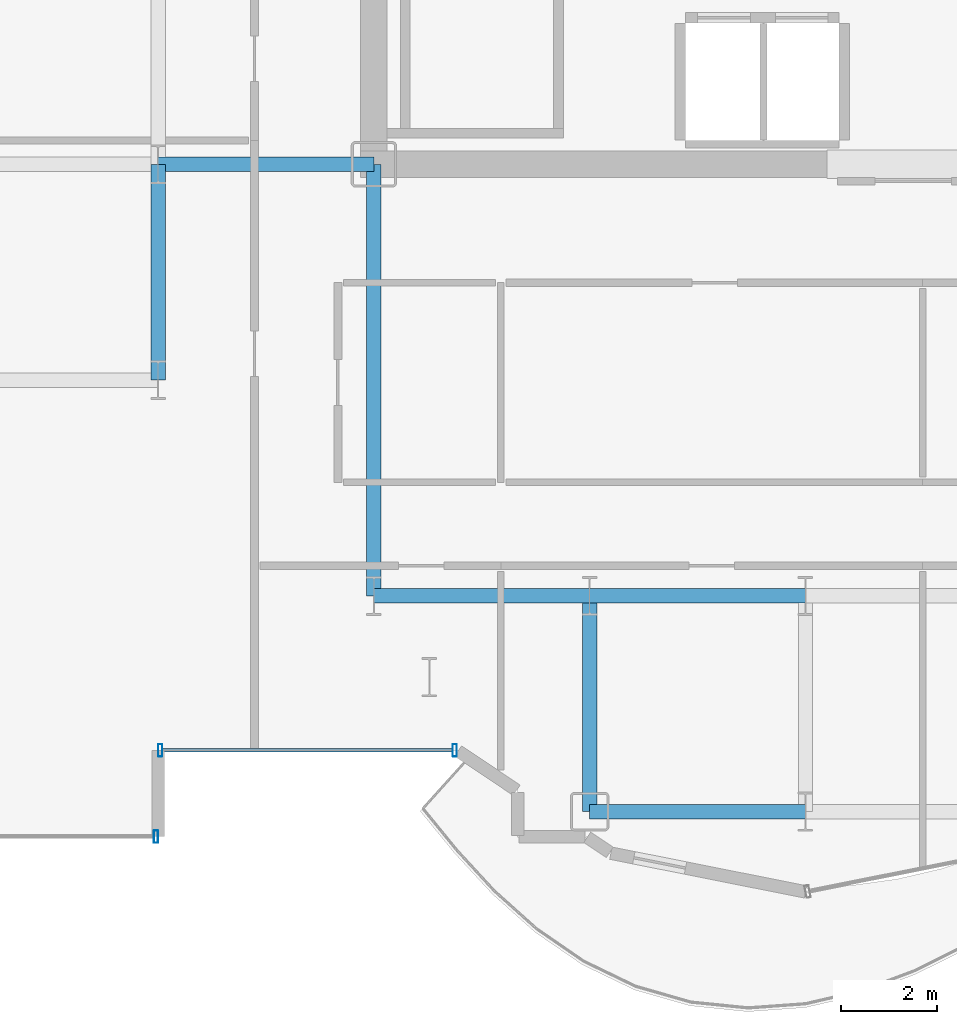
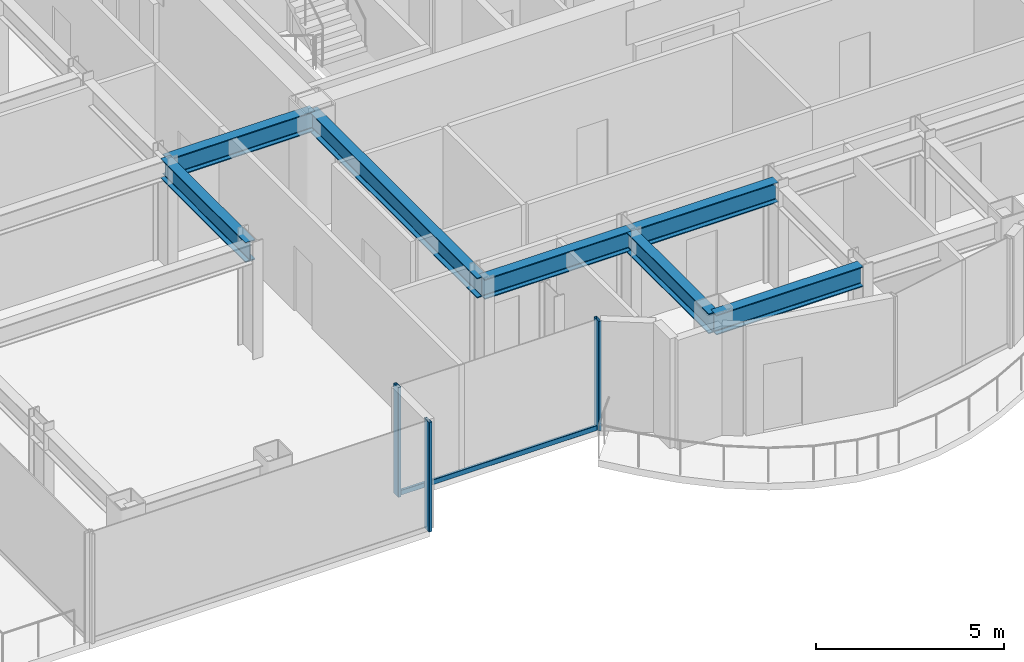
# One storey, part 5 of 23: 7 beams, 4 members, 2 elements without a shape of their own.
"""IFC4 building model written with IfcOpenShell, lengths in metres."""

import ifcopenshell
import ifcopenshell.guid

model = None  # the IFC model being written
_history = None  # IfcOwnerHistory: only IFC2X3 demands one
_inside = {}  # id of a spatial element -> (the spatial element, [elements in it])
_under = {}  # id of a project, library or spatial element -> (it, [spatial elements below it])
_declared = {}  # id of a project -> (the project, [libraries it declares])
_typed = {}  # id of a type object -> (the type object, [elements of that type])
_made_of = {}  # id of a material, layer set ... -> (it, [elements and type objects made of it])


def new_model(schema):
    """Start an empty IFC model of exactly this schema.

    Asked for "IFC4X3", IfcOpenShell would pick the latest addendum, in which some entities
    have other attributes; the version numbers below select the first issue.
    IFC2X3 requires an IfcOwnerHistory on every rooted entity: one is made here for all.
    """
    global model, _history
    if schema == "IFC4X3":
        model = ifcopenshell.file(schema_version=(4, 3, 0, 0))
    else:
        model = ifcopenshell.file(schema=schema)
    _inside.clear()
    _under.clear()
    _declared.clear()
    _typed.clear()
    _made_of.clear()
    _history = None
    if model.schema == "IFC2X3":
        org = make("IfcOrganization", Name="unknown")
        user = make(
            "IfcPersonAndOrganization",
            ThePerson=make("IfcPerson", FamilyName="unknown"),
            TheOrganization=org,
        )
        app = make(
            "IfcApplication",
            ApplicationDeveloper=org,
            Version="unknown",
            ApplicationFullName="unknown",
            ApplicationIdentifier="unknown",
        )
        _history = make(
            "IfcOwnerHistory",
            OwningUser=user,
            OwningApplication=app,
            ChangeAction="ADDED",
            CreationDate=0,
        )
    return model


def make(cls, **values):
    """One entity of the class cls with the attributes given. An attribute that is None is left unset."""
    return model.create_entity(
        cls, **{name: value for name, value in values.items() if value is not None}
    )


def rooted(cls, **values):
    """An entity with a GlobalId (a new one), such as an element, a storey or a relation."""
    return make(cls, GlobalId=ifcopenshell.guid.new(), OwnerHistory=_history, **values)


def si_unit(unit_type, name, prefix=None):
    """IfcSIUnit, for example si_unit("LENGTHUNIT", "METRE", prefix="MILLI")."""
    return make("IfcSIUnit", UnitType=unit_type, Prefix=prefix, Name=name)


def assignment(units):
    """IfcUnitAssignment: the units of a project."""
    return None if units is None else make("IfcUnitAssignment", Units=units)


def point(xyz):
    """IfcCartesianPoint."""
    return None if xyz is None else make("IfcCartesianPoint", Coordinates=xyz)


def direction(xyz):
    """IfcDirection."""
    return None if xyz is None else make("IfcDirection", DirectionRatios=xyz)


def frame(location, z_axis=None, x_axis=None):
    """IfcAxis2Placement3D, a coordinate frame: its origin and axes. An axis left out is left unset."""
    return make(
        "IfcAxis2Placement3D",
        Location=point(location),
        Axis=direction(z_axis),
        RefDirection=direction(x_axis),
    )


def frame_2d(location, x_axis=None):
    """IfcAxis2Placement2D, a coordinate frame in the plane: its origin and x axis."""
    return make(
        "IfcAxis2Placement2D", Location=point(location), RefDirection=direction(x_axis)
    )


def origin():
    """The frame at (0, 0, 0) with its axes left unset."""
    return frame((0.0, 0.0, 0.0))


def origin_2d():
    """The frame at (0, 0) in the plane with its x axis left unset."""
    return frame_2d((0.0, 0.0))


def place(relative_to, where):
    """IfcLocalPlacement: puts the frame where relative to a parent placement (None: the world)."""
    return make(
        "IfcLocalPlacement", PlacementRelTo=relative_to, RelativePlacement=where
    )


def context(
    kind, dimensions, precision=None, world=None, true_north=None, identifier=None
):
    """IfcGeometricRepresentationContext, for example the 3D "Model" context."""
    return make(
        "IfcGeometricRepresentationContext",
        ContextIdentifier=identifier,
        ContextType=kind,
        CoordinateSpaceDimension=dimensions,
        Precision=precision,
        WorldCoordinateSystem=world,
        TrueNorth=true_north,
    )


def subcontext(parent, identifier, kind, view, scale=None):
    """IfcGeometricRepresentationSubContext, for example "Body" below "Model"."""
    return make(
        "IfcGeometricRepresentationSubContext",
        ContextIdentifier=identifier,
        ContextType=kind,
        ParentContext=parent,
        TargetScale=scale,
        TargetView=view,
    )


def project(units=None, contexts=None):
    """IfcProject with its units and contexts."""
    return rooted(
        "IfcProject",
        Name="project",
        RepresentationContexts=contexts,
        UnitsInContext=assignment(units),
    )


def spatial(cls, under=None, at=None, **own):
    """A site, building, storey or space (cls), placed at a placement, below another one or the project."""
    s = rooted(cls, ObjectPlacement=at, **own)
    if under is not None:
        _under.setdefault(under.id(), (under, []))[1].append(s)
    return s


def profile(cls, at=None, kind="AREA", **sizes):
    """A parametric profile (cls). Its sizes go by their IFC names, for example OverallWidth=200.0."""
    return make(cls, ProfileType=kind, Position=at, **sizes)


def hollow_rectangle(**sizes):
    """IfcRectangleHollowProfileDef."""
    return profile("IfcRectangleHollowProfileDef", **sizes)


def i_section(**sizes):
    """IfcIShapeProfileDef."""
    return profile("IfcIShapeProfileDef", **sizes)


def extrude(swept, where, along, depth):
    """IfcExtrudedAreaSolid: the profile swept, set in the frame where, extruded along a direction by depth."""
    return make(
        "IfcExtrudedAreaSolid",
        SweptArea=swept,
        Position=where,
        ExtrudedDirection=direction(along),
        Depth=depth,
    )


def shape(context_of_items, identifier, shape_type, items):
    """IfcShapeRepresentation: the items that make up one representation, for example the "Body"."""
    return make(
        "IfcShapeRepresentation",
        ContextOfItems=context_of_items,
        RepresentationIdentifier=identifier,
        RepresentationType=shape_type,
        Items=items,
    )


def source(mapping_origin, context_of_items, identifier, shape_type, items):
    """IfcRepresentationMap: a shape defined once, which mapped items show again and again."""
    return make(
        "IfcRepresentationMap",
        MappingOrigin=mapping_origin,
        MappedRepresentation=shape(context_of_items, identifier, shape_type, items),
    )


def transform(
    local_origin,
    x_axis=None,
    y_axis=None,
    z_axis=None,
    scale=None,
    scale2=None,
    scale3=None,
    uniform=True,
):
    """IfcCartesianTransformationOperator3D, or its non-uniform kind. x_axis, y_axis, z_axis: its Axis1, 2, 3."""
    if uniform:
        return make(
            "IfcCartesianTransformationOperator3D",
            Axis1=direction(x_axis),
            Axis2=direction(y_axis),
            LocalOrigin=point(local_origin),
            Scale=scale,
            Axis3=direction(z_axis),
        )
    return make(
        "IfcCartesianTransformationOperator3DnonUniform",
        Axis1=direction(x_axis),
        Axis2=direction(y_axis),
        LocalOrigin=point(local_origin),
        Scale=scale,
        Axis3=direction(z_axis),
        Scale2=scale2,
        Scale3=scale3,
    )


def mapped(mapping_source, mapping_target):
    """IfcMappedItem: shows the shape of a source again, moved by a transform."""
    return make(
        "IfcMappedItem", MappingSource=mapping_source, MappingTarget=mapping_target
    )


def material(Name=None, Category=None):
    """IfcMaterial."""
    return make("IfcMaterial", Name=Name, Category=Category)


def layer(
    of_material, thickness, ventilated=None, Name=None, Category=None, Priority=None
):
    """IfcMaterialLayer: one layer of a wall or slab, of a material (None: an air gap)."""
    return make(
        "IfcMaterialLayer",
        Material=of_material,
        LayerThickness=thickness,
        IsVentilated=ventilated,
        Name=Name,
        Category=Category,
        Priority=Priority,
    )


def layer_set(layers, Name=None):
    """IfcMaterialLayerSet."""
    return make("IfcMaterialLayerSet", MaterialLayers=layers, LayerSetName=Name)


def material_profile(
    of_material, cross_section, Name=None, Category=None, Priority=None
):
    """IfcMaterialProfile: a cross section and its material."""
    return make(
        "IfcMaterialProfile",
        Name=Name,
        Material=of_material,
        Profile=cross_section,
        Priority=Priority,
        Category=Category,
    )


def profile_set(profiles, Name=None, composite=None):
    """IfcMaterialProfileSet."""
    return make(
        "IfcMaterialProfileSet",
        Name=Name,
        MaterialProfiles=profiles,
        CompositeProfile=composite,
    )


def made_of(thing, what):
    """Note that an element or type object is made of a material, layer set ...; save() writes the relation."""
    if what is not None:
        _made_of.setdefault(what.id(), (what, []))[1].append(thing)
    return thing


def type_object(cls, material=None, **own):
    """A type object (cls), such as IfcWallType, which elements share."""
    return made_of(rooted(cls, **own), material)


def element(
    cls,
    number,
    at=None,
    inside=None,
    cuts=None,
    type_object=None,
    material=None,
    context=None,
    identifier="Body",
    shape_type=None,
    held_by="IfcProductDefinitionShape",
    body=None,
    shapes=None,
    **own,
):
    """One element of the class cls, such as IfcWall. Its Tag is "e" and its number.

    at: its placement. inside: the storey or other place that contains it. cuts: it is an
    opening in that element (IfcRelVoidsElement). A single representation is given by context,
    identifier, shape_type and body (its items); several are given by shapes. held_by: the class
    of the entity that holds the representations. save() writes the other relations.
    """
    e = rooted(cls, Tag="e%d" % number, ObjectPlacement=at, **own)
    if body is not None:
        shapes = [shape(context, identifier, shape_type, body)]
    if shapes is not None:
        e.Representation = make(held_by, Representations=shapes)
    if inside is not None:
        _inside.setdefault(inside.id(), (inside, []))[1].append(e)
    if cuts is not None:
        rooted(
            "IfcRelVoidsElement", RelatingBuildingElement=cuts, RelatedOpeningElement=e
        )
    if type_object is not None:
        _typed.setdefault(type_object.id(), (type_object, []))[1].append(e)
    return made_of(e, material)


def aggregate(whole, parts):
    """IfcRelAggregates: a whole, such as a stair, and the parts it consists of."""
    return rooted("IfcRelAggregates", RelatingObject=whole, RelatedObjects=parts)


def save(model, path):
    """Write the relations noted so far, then the file.

    IfcRelAggregates (storeys below a building ...), IfcRelContainedInSpatialStructure (elements
    in a storey), IfcRelDefinesByType, IfcRelAssociatesMaterial and IfcRelDeclares: one each for
    every whole, place, type object, material and project.
    """
    for whole, parts in _under.values():
        aggregate(whole, parts)
    for where, things in _inside.values():
        rooted(
            "IfcRelContainedInSpatialStructure",
            RelatedElements=things,
            RelatingStructure=where,
        )
    for kind, things in _typed.values():
        rooted("IfcRelDefinesByType", RelatedObjects=things, RelatingType=kind)
    for what, things in _made_of.values():
        rooted("IfcRelAssociatesMaterial", RelatedObjects=things, RelatingMaterial=what)
    for by, libraries in _declared.values():
        rooted("IfcRelDeclares", RelatingContext=by, RelatedDefinitions=libraries)
    model.write(path)


model = new_model("IFC4")

# Units and contexts
model_context = context("Model", 3, precision=1e-05, world=origin(), true_north=direction((0.0, 1.0)))
body_context = subcontext(model_context, "Body", "Model", "MODEL_VIEW")
ifc_project = project(units=[si_unit("LENGTHUNIT", "METRE"), si_unit("AREAUNIT", "SQUARE_METRE"), si_unit("VOLUMEUNIT", "CUBIC_METRE"), si_unit("PLANEANGLEUNIT", "RADIAN"), si_unit("MASSUNIT", "GRAM", prefix="KILO")], contexts=[model_context])

# Site, building, storey
site_placement = place(None, origin())
site = spatial("IfcSite", under=ifc_project, at=site_placement, CompositionType="ELEMENT")
building_placement = place(site_placement, origin())
building = spatial("IfcBuilding", under=site, at=building_placement, Name="Nefas-Gora Pilgrimage Tower", CompositionType="ELEMENT")
storey_placement = place(building_placement, frame((0.0, 0.0, 164.0)))
storey = spatial("IfcBuildingStorey", under=building, at=storey_placement, Name="L40", CompositionType="ELEMENT", Elevation=164.0)

# Beams
ifc_material_1 = material(Name="Steel S355", Category="steel")
ifc_material_profile_1 = material_profile(ifc_material_1, i_section(OverallWidth=0.300048828125, OverallDepth=0.64990234375, WebThickness=0.01611328125, FlangeThickness=0.031005859375, FilletRadius=0.027099609375, at=origin_2d()), Name="HEB 650")
ifc_profile_set_1 = profile_set([ifc_material_profile_1], Name="Steel S355")
beam_type = type_object("IfcBeamType", Name="BM-GIR-HEB650", PredefinedType="BEAM", material=ifc_profile_set_1)
shared_shape_1 = source(origin(), body_context, "Body", "SweptSolid", [
    extrude(i_section(OverallWidth=0.300048828125, OverallDepth=0.64990234375, WebThickness=0.01611328125, FlangeThickness=0.031005859375, FilletRadius=0.027099609375, at=origin_2d()), origin(), (0.0, 0.0, 1.0), 9.0),
])
beam_placement = place(storey_placement, frame((-11.25, -18.0, 3.22509765625), z_axis=(0.0, 1.0, 0.0), x_axis=(-1.0, 0.0, 0.0)))
element("IfcBeam", 1, at=beam_placement, inside=storey, type_object=beam_type, Name="L40 G-03 beam", PredefinedType="BEAM", context=body_context, shape_type="MappedRepresentation", body=[
    mapped(shared_shape_1, transform((0.0, 0.0, 0.0), x_axis=(1.0, 0.0, 0.0), y_axis=(0.0, 1.0, 0.0), z_axis=(0.0, 0.0, 1.0), scale=1.0)),
])
shared_shape_2 = source(origin(), body_context, "Body", "SweptSolid", [
    extrude(i_section(OverallWidth=0.300048828125, OverallDepth=0.64990234375, WebThickness=0.01611328125, FlangeThickness=0.031005859375, FilletRadius=0.027099609375, at=origin_2d()), origin(), (0.0, 0.0, 1.0), 4.5),
])
for number, where, z_axis, x_axis, name in (
    (2, (-15.75, -13.5, 3.22509765625), (0.0, 1.0, 0.0), (-1.0, 0.0, 0.0), "L40 G-03 beam"),
    (3, (-15.75, -9.0, 3.22509765625), (1.0, 0.0, 0.0), (0.0, 1.0, 0.0), "L40 G-03 beam"),
    (4, (-11.25, -18.0, 3.22509765625), (1.0, 0.0, 0.0), (0.0, 1.0, 0.0), "L40 G-03 beam"),
    (5, (-6.75, -22.5, 3.22509765625), (0.0, 1.0, 0.0), (-1.0, 0.0, 0.0), "L40 G-03 beam"),
    (6, (-6.75, -22.5, 3.22509765625), (1.0, 0.0, 0.0), (0.0, 1.0, 0.0), "L40 G-03 beam"),
    (7, (-6.75, -18.0, 3.22509765625), (1.0, 0.0, 0.0), (0.0, 1.0, 0.0), "L40 G-03 beam"),
):
    element("IfcBeam", number, at=place(storey_placement, frame(where, z_axis=z_axis, x_axis=x_axis)), inside=storey, type_object=beam_type, Name=name, PredefinedType="BEAM", context=body_context, shape_type="MappedRepresentation", body=[
        mapped(shared_shape_2, transform((0.0, 0.0, 0.0), x_axis=(1.0, 0.0, 0.0), y_axis=(0.0, 1.0, 0.0), z_axis=(0.0, 0.0, 1.0), scale=1.0)),
    ])

# Curtain wall, members
ifc_material_2 = material(Name="Dark ceramic-fritted solar-control aluminium-glass curtain wall", Category="aluminium")
ifc_layer_1 = layer(ifc_material_2, 0.219970703125)
ifc_layer_set_1 = layer_set([ifc_layer_1], Name="Dark ceramic-fritted solar-control aluminium-glass curtain wall")
curtain_wall_type_1 = type_object("IfcCurtainWallType", Name="CW-SYS-5", PredefinedType="NOTDEFINED", material=ifc_layer_set_1)
curtain_wall_1_placement = place(storey_placement, origin())
curtain_wall_1 = element("IfcCurtainWall", 8, at=curtain_wall_1_placement, inside=storey, type_object=curtain_wall_type_1, Name="L40 Unitised Curtain Wall CW5", PredefinedType="NOTDEFINED")
ifc_material_3 = material(Name="Anodised architectural aluminium", Category="aluminium")
ifc_material_profile_2 = material_profile(ifc_material_3, hollow_rectangle(XDim=0.090087890625, YDim=0.260009765625, WallThickness=0.006103515625, InnerFilletRadius=0.006103515625, OuterFilletRadius=0.011962890625, at=origin_2d()), Name="ALU MULLION 90x260")
ifc_profile_set_2 = profile_set([ifc_material_profile_2], Name="Anodised architectural aluminium")
member_type_1 = type_object("IfcMemberType", Name="CWM-MUL-5", PredefinedType="MULLION", material=ifc_profile_set_2)
shared_shape_3 = source(origin(), body_context, "Body", "SweptSolid", [
    extrude(hollow_rectangle(XDim=0.090087890625, YDim=0.260009765625, WallThickness=0.006103515625, InnerFilletRadius=0.006103515625, OuterFilletRadius=0.011962890625, at=origin_2d()), origin(), (0.0, 0.0, 1.0), 3.550048828125),
])
member_1_placement = place(storey_placement, frame((-15.705078125, -21.219970703125, 0.0), z_axis=(0.0, 0.0, 1.0), x_axis=(1.0, 0.0, 0.0)))
member_1 = element("IfcMember", 9, at=member_1_placement, type_object=member_type_1, Name="CW5 Mullion 1", PredefinedType="MULLION", context=body_context, shape_type="MappedRepresentation", body=[
    mapped(shared_shape_3, transform((0.0, 0.0, 0.0), x_axis=(1.0, 0.0, 0.0), y_axis=(0.0, 1.0, 0.0), z_axis=(0.0, 0.0, 1.0), scale=1.0)),
])
member_2_placement = place(storey_placement, frame((-9.56298828125, -21.219970703125, 0.0), z_axis=(0.0, 0.0, 1.0), x_axis=(1.0, 0.0, 0.0)))
member_2 = element("IfcMember", 10, at=member_2_placement, type_object=member_type_1, Name="CW5 Mullion 2", PredefinedType="MULLION", context=body_context, shape_type="MappedRepresentation", body=[
    mapped(shared_shape_3, transform((0.0, 0.0, 0.0), x_axis=(1.0, 0.0, 0.0), y_axis=(0.0, 1.0, 0.0), z_axis=(0.0, 0.0, 1.0), scale=1.0)),
])
ifc_material_profile_3 = material_profile(ifc_material_3, hollow_rectangle(XDim=0.080078125, YDim=0.159912109375, WallThickness=0.00439453125, InnerFilletRadius=0.00439453125, OuterFilletRadius=0.009033203125, at=origin_2d()), Name="ALU TRANSOM 80x160")
ifc_profile_set_3 = profile_set([ifc_material_profile_3], Name="Anodised architectural aluminium")
member_type_2 = type_object("IfcMemberType", Name="CWM-TRN-5", PredefinedType="USERDEFINED", material=ifc_profile_set_3)
shared_shape_4 = source(origin(), body_context, "Body", "SweptSolid", [
    extrude(hollow_rectangle(XDim=0.080078125, YDim=0.159912109375, WallThickness=0.00439453125, InnerFilletRadius=0.00439453125, OuterFilletRadius=0.009033203125, at=origin_2d()), origin(), (0.0, 0.0, 1.0), 6.052001953125),
])
member_3_placement = place(storey_placement, frame((-15.659912109375, -21.219970703125, 0.050048828125), z_axis=(1.0, 0.0, 0.0), x_axis=(0.0, 1.0, 0.0)))
member_3 = element("IfcMember", 11, at=member_3_placement, type_object=member_type_2, Name="CW5 Spandrel Transom", ObjectType="TRANSOM", PredefinedType="USERDEFINED", context=body_context, shape_type="MappedRepresentation", body=[
    mapped(shared_shape_4, transform((0.0, 0.0, 0.0), x_axis=(1.0, 0.0, 0.0), y_axis=(0.0, 1.0, 0.0), z_axis=(0.0, 0.0, 1.0), scale=1.0)),
])
aggregate(curtain_wall_1, [member_1, member_2, member_3])

# Curtain wall, member
ifc_layer_2 = layer(ifc_material_2, 0.219970703125)
ifc_layer_set_2 = layer_set([ifc_layer_2], Name="Dark ceramic-fritted solar-control aluminium-glass curtain wall")
curtain_wall_type_2 = type_object("IfcCurtainWallType", Name="CW-SYS-3", PredefinedType="NOTDEFINED", material=ifc_layer_set_2)
curtain_wall_2_placement = place(storey_placement, origin())
curtain_wall_2 = element("IfcCurtainWall", 12, at=curtain_wall_2_placement, inside=storey, type_object=curtain_wall_type_2, Name="L40 Unitised Curtain Wall CW3", PredefinedType="NOTDEFINED")
ifc_material_profile_4 = material_profile(ifc_material_3, hollow_rectangle(XDim=0.090087890625, YDim=0.260009765625, WallThickness=0.006103515625, InnerFilletRadius=0.006103515625, OuterFilletRadius=0.011962890625, at=origin_2d()), Name="ALU MULLION 90x260")
ifc_profile_set_4 = profile_set([ifc_material_profile_4], Name="Anodised architectural aluminium")
member_type_3 = type_object("IfcMemberType", Name="CWM-MUL-3", PredefinedType="MULLION", material=ifc_profile_set_4)
shared_shape_5 = source(origin(), body_context, "Body", "SweptSolid", [
    extrude(hollow_rectangle(XDim=0.090087890625, YDim=0.260009765625, WallThickness=0.006103515625, InnerFilletRadius=0.006103515625, OuterFilletRadius=0.011962890625, at=origin_2d()), origin(), (0.0, 0.0, 1.0), 3.550048828125),
])
member_4_placement = place(storey_placement, frame((-15.794921875, -23.02001953125, 0.0), z_axis=(0.0, 0.0, 1.0), x_axis=(1.0, 0.0, 0.0)))
member_4 = element("IfcMember", 13, at=member_4_placement, type_object=member_type_3, Name="CW3 Mullion 2", PredefinedType="MULLION", context=body_context, shape_type="MappedRepresentation", body=[
    mapped(shared_shape_5, transform((0.0, 0.0, 0.0), x_axis=(1.0, 0.0, 0.0), y_axis=(0.0, 1.0, 0.0), z_axis=(0.0, 0.0, 1.0), scale=1.0)),
])
aggregate(curtain_wall_2, [member_4])

save(model, "model.ifc")
